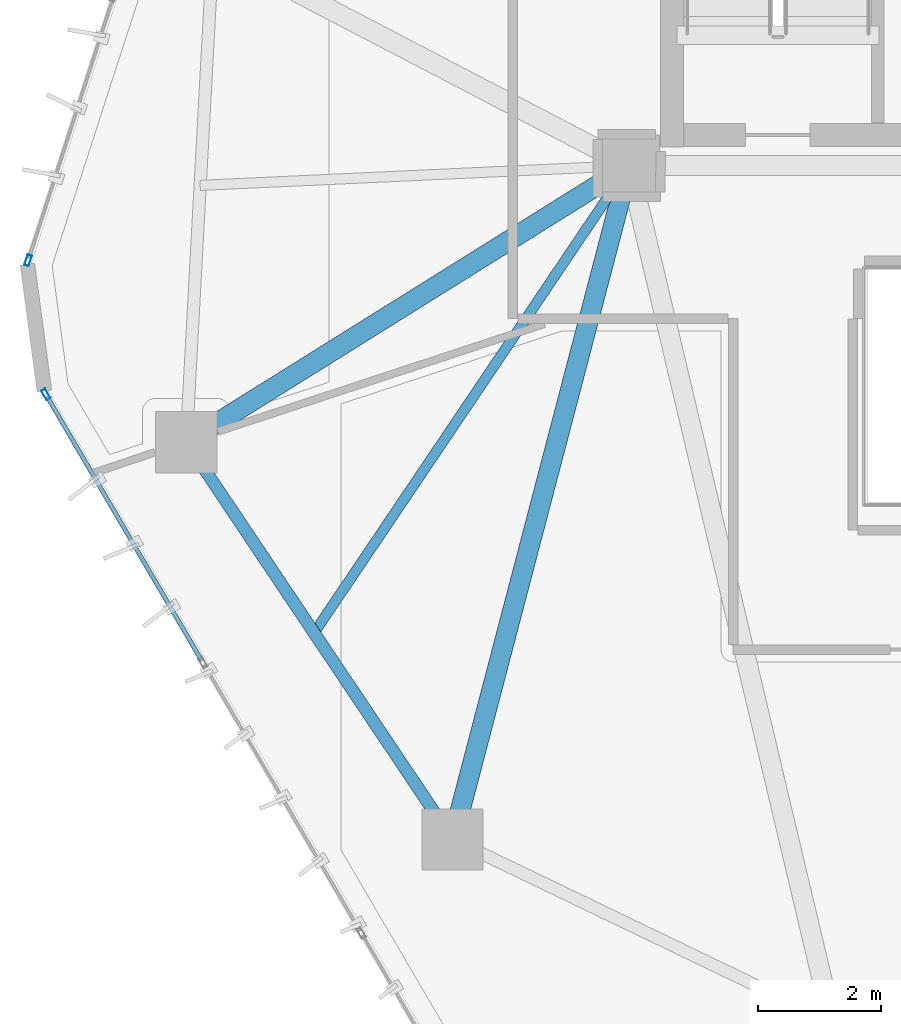
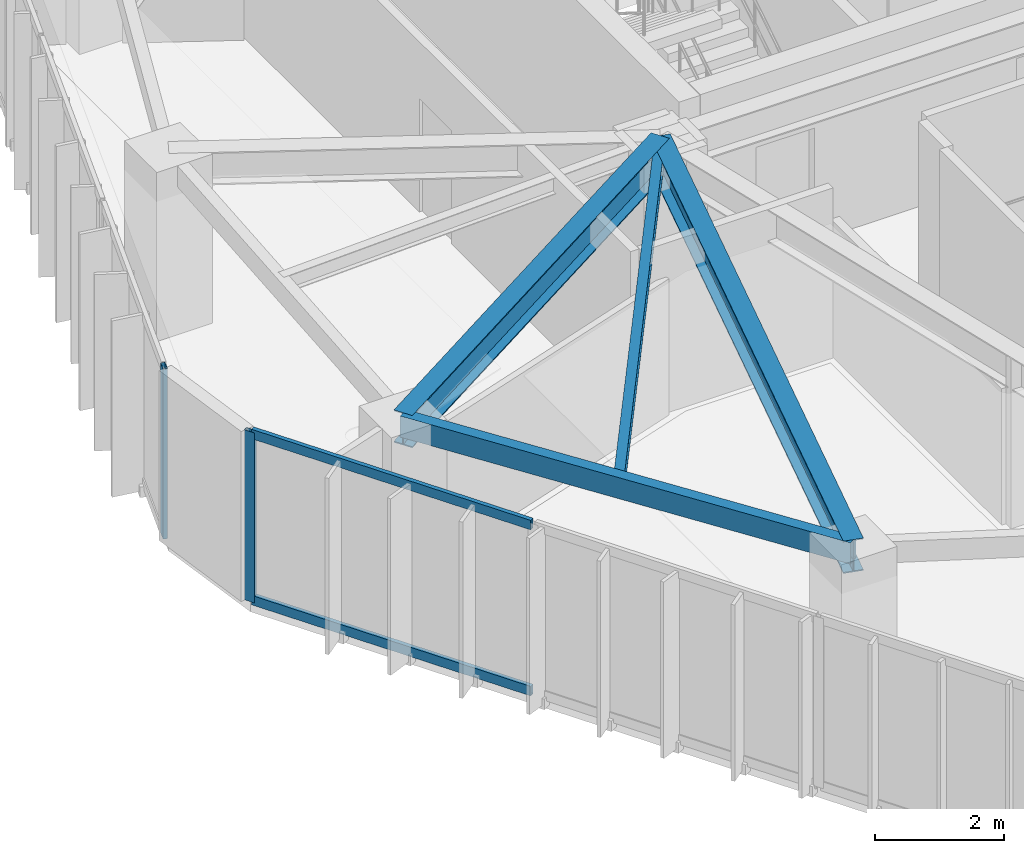
# One storey, part 3 of 19: 4 beams, 4 members, 2 elements without a shape of their own.
"""IFC4 building model written with IfcOpenShell, lengths in metres."""

from ifc_helpers import new_model, si_unit, direction, frame, origin, origin_2d, place, context, subcontext, project, spatial, hollow_rectangle, i_section, extrude, source, transform, mapped, material, layer, layer_set, material_profile, profile_set, type_object, type_shapes, element, aggregate, save


model = new_model("IFC4")

# Units and contexts
model_context = context("Model", 3, precision=1e-05, world=origin(), true_north=direction((0.0, 1.0)))
body_context = subcontext(model_context, "Body", "Model", "MODEL_VIEW")
ifc_project = project(units=[si_unit("LENGTHUNIT", "METRE"), si_unit("AREAUNIT", "SQUARE_METRE"), si_unit("VOLUMEUNIT", "CUBIC_METRE"), si_unit("PLANEANGLEUNIT", "RADIAN"), si_unit("MASSUNIT", "GRAM", prefix="KILO")], contexts=[model_context])

# Site, building, storey
site_placement = place(None, origin())
site = spatial("IfcSite", under=ifc_project, at=site_placement, CompositionType="ELEMENT")
building_placement = place(site_placement, origin())
building = spatial("IfcBuilding", under=site, at=building_placement, Name="Talar Marvaseh", CompositionType="ELEMENT")
storey_placement = place(building_placement, frame((0.0, 0.0, 174.0)))
storey = spatial("IfcBuildingStorey", under=building, at=storey_placement, Name="L45", CompositionType="ELEMENT", Elevation=174.0)

# Beams
ifc_material_1 = material(Name="Steel S355", Category="steel")
ifc_material_profile_1 = material_profile(ifc_material_1, hollow_rectangle(XDim=0.199951171875, YDim=0.39990234375, WallThickness=0.013916015625, at=origin_2d()), Name="RHS400x200x14")
ifc_profile_set_1 = profile_set([ifc_material_profile_1], Name="Steel S355")
beam_type_1 = type_object("IfcBeamType", Name="Zone 3 Perimeter Spandrel Beam RHS400x200x14", PredefinedType="SPANDREL", material=ifc_profile_set_1)
beam_1_placement = place(storey_placement, frame((15.819091796875, 14.5009765625, 3.030029296875), z_axis=(-0.556805579613, 0.830642851358, 0.0), x_axis=(-0.830642851358, -0.556805579613, 0.0)))
element("IfcBeam", 1, at=beam_1_placement, inside=storey, type_object=beam_type_1, Name="L45 Zone 3 Perimeter Spandrel Beam RHS400x200x14", PredefinedType="SPANDREL", context=body_context, shape_type="SweptSolid", body=[
    extrude(hollow_rectangle(XDim=0.199951171875, YDim=0.39990234375, WallThickness=0.013916015625, at=origin_2d()), origin(), (0.0, 0.0, 1.0), 7.807373046875),
])
ifc_material_profile_2 = material_profile(ifc_material_1, i_section(OverallWidth=0.324951171875, OverallDepth=0.615966796875, WebThickness=0.013916015625, FlangeThickness=0.021484375, at=origin_2d()), Name="W610x174")
ifc_profile_set_2 = profile_set([ifc_material_profile_2], Name="Steel S355")
beam_type_2 = type_object("IfcBeamType", Name="Zone 3 Radial Floor Girder W610x174", PredefinedType="BEAM", material=ifc_profile_set_2)
beam_2_placement = place(storey_placement, frame((15.819091796875, 14.5009765625, 2.922119140625), z_axis=(0.253372787776, 0.967368714821, 0.0), x_axis=(-0.967368714821, 0.253372787776, 0.0)))
element("IfcBeam", 2, at=beam_2_placement, inside=storey, type_object=beam_type_2, Name="L45 Zone 3 Radial Floor Girder W610x174", PredefinedType="BEAM", context=body_context, shape_type="SweptSolid", body=[
    extrude(i_section(OverallWidth=0.324951171875, OverallDepth=0.615966796875, WebThickness=0.013916015625, FlangeThickness=0.021484375, at=origin_2d()), origin(), (0.0, 0.0, 1.0), 11.3701171875),
])
beam_3_placement = place(storey_placement, frame((11.471923828125, 20.986083984375, 2.922119140625), z_axis=(0.848188171212, 0.52969503133, 0.0), x_axis=(-0.52969503133, 0.848188171212, 0.0)))
element("IfcBeam", 3, at=beam_3_placement, inside=storey, type_object=beam_type_2, Name="L45 Zone 3 Radial Floor Girder W610x174", PredefinedType="BEAM", context=body_context, shape_type="SweptSolid", body=[
    extrude(i_section(OverallWidth=0.324951171875, OverallDepth=0.615966796875, WebThickness=0.013916015625, FlangeThickness=0.021484375, at=origin_2d()), origin(), (0.0, 0.0, 1.0), 8.521728515625),
])
ifc_material_profile_3 = material_profile(ifc_material_1, i_section(OverallWidth=0.166015625, OverallDepth=0.31298828125, WebThickness=0.006591796875, FlangeThickness=0.01123046875, at=origin_2d()), Name="W310x45")
ifc_profile_set_3 = profile_set([ifc_material_profile_3], Name="Steel S355")
beam_type_3 = type_object("IfcBeamType", Name="Zone 3 Secondary Floor Joist W310x45", PredefinedType="JOIST", material=ifc_profile_set_3)
beam_4_placement = place(storey_placement, frame((13.55859375, 17.873291015625, 3.073486328125), z_axis=(0.558974483718, 0.829184856683, 0.0), x_axis=(-0.829184856683, 0.558974483718, 0.0)))
element("IfcBeam", 4, at=beam_4_placement, inside=storey, type_object=beam_type_3, Name="L45 Zone 3 Secondary Floor Joist W310x45", PredefinedType="JOIST", context=body_context, shape_type="SweptSolid", body=[
    extrude(i_section(OverallWidth=0.166015625, OverallDepth=0.31298828125, WebThickness=0.006591796875, FlangeThickness=0.01123046875, at=origin_2d()), origin(), (0.0, 0.0, 1.0), 9.19775390625),
])

# Curtain wall, member
ifc_material_2 = material(Name="Architectural Aluminium", Category="aluminium")
ifc_layer = layer(ifc_material_2, 0.18994140625)
ifc_layer_set = layer_set([ifc_layer], Name="Architectural Aluminium")
curtain_wall_type = type_object("IfcCurtainWallType", Name="Unitised Solar Atelier Curtain Wall Z3", PredefinedType="NOTDEFINED", material=ifc_layer_set)
curtain_wall_1_placement = place(storey_placement, origin())
curtain_wall_1 = element("IfcCurtainWall", 5, at=curtain_wall_1_placement, inside=storey, type_object=curtain_wall_type, Name="L45 Unitised Solar Atelier Curtain Wall Z3", PredefinedType="NOTDEFINED")
ifc_material_profile_4 = material_profile(ifc_material_2, hollow_rectangle(XDim=0.074951171875, YDim=0.179931640625, WallThickness=0.0048828125, at=origin_2d()), Name="RHS180x75x5")
ifc_profile_set_4 = profile_set([ifc_material_profile_4], Name="Architectural Aluminium")
member_type_1 = type_object("IfcMemberType", Name="Unitised Curtain Wall Standard Mullion RHS180x75x5", PredefinedType="MULLION", material=ifc_profile_set_4)
shared_shape_1 = source(origin(), body_context, "Body", "SweptSolid", [
    extrude(hollow_rectangle(XDim=0.074951171875, YDim=0.179931640625, WallThickness=0.0048828125, at=origin_2d()), origin(), (0.0, 0.0, 1.0), 3.22998046875),
])
type_shapes(member_type_1, [shared_shape_1])
member_1_placement = place(storey_placement, frame((9.180908203125, 21.765380859375, 0.0), z_axis=(0.0, 0.0, 1.0), x_axis=(-0.862986669281, -0.505226690352, 0.0)))
member_1 = element("IfcMember", 6, at=member_1_placement, type_object=member_type_1, Name="CW-Z3 mullion 4", PredefinedType="MULLION", context=body_context, shape_type="MappedRepresentation", body=[
    mapped(shared_shape_1, transform((0.0, 0.0, 0.0), x_axis=(1.0, 0.0, 0.0), y_axis=(0.0, 1.0, 0.0), z_axis=(0.0, 0.0, 1.0), scale=1.0)),
])

curtain_wall_2_placement = place(storey_placement, origin())
curtain_wall_2 = element("IfcCurtainWall", 7, at=curtain_wall_2_placement, inside=storey, type_object=curtain_wall_type, Name="L45 Unitised Solar Atelier Curtain Wall Z3", PredefinedType="NOTDEFINED")
member_2_placement = place(storey_placement, frame((8.89111328125, 23.952392578125, 0.0), z_axis=(0.0, 0.0, 1.0), x_axis=(-0.951423501741, 0.307885238903, 0.0)))
member_2 = element("IfcMember", 8, at=member_2_placement, type_object=member_type_1, Name="CW-Z3 mullion 1", PredefinedType="MULLION", context=body_context, shape_type="MappedRepresentation", body=[
    mapped(shared_shape_1, transform((0.0, 0.0, 0.0), x_axis=(1.0, 0.0, 0.0), y_axis=(0.0, 1.0, 0.0), z_axis=(0.0, 0.0, 1.0), scale=1.0)),
])
aggregate(curtain_wall_2, [member_2])

# Member
ifc_material_profile_5 = material_profile(ifc_material_2, hollow_rectangle(XDim=0.074951171875, YDim=0.179931640625, WallThickness=0.0048828125, at=origin_2d()), Name="RHS180x75x5")
ifc_profile_set_5 = profile_set([ifc_material_profile_5], Name="Architectural Aluminium")
member_type_2 = type_object("IfcMemberType", Name="Unitised Curtain Wall Transom RHS180x75x5", PredefinedType="USERDEFINED", material=ifc_profile_set_5)
shared_shape_2 = source(origin(), body_context, "Body", "SweptSolid", [
    extrude(hollow_rectangle(XDim=0.074951171875, YDim=0.179931640625, WallThickness=0.0048828125, at=origin_2d()), origin(), (0.0, 0.0, 1.0), 5.00048828125),
])
type_shapes(member_type_2, [shared_shape_2])
member_3_placement = place(storey_placement, frame((11.726318359375, 17.417724609375, 0.03759765625), z_axis=(-0.505218224673, 0.86299162537, 0.0), x_axis=(-0.86299162537, -0.505218224673, 0.0)))
member_3 = element("IfcMember", 9, at=member_3_placement, type_object=member_type_2, Name="CW-Z3 transom 3.1", ObjectType="TRANSOM", PredefinedType="USERDEFINED", context=body_context, shape_type="MappedRepresentation", body=[
    mapped(shared_shape_2, transform((0.0, 0.0, 0.0), x_axis=(1.0, 0.0, 0.0), y_axis=(0.0, 1.0, 0.0), z_axis=(0.0, 0.0, 1.0), scale=1.0)),
])

member_4_placement = place(storey_placement, frame((11.726318359375, 17.417724609375, 3.1923828125), z_axis=(-0.505218224673, 0.86299162537, 0.0), x_axis=(-0.86299162537, -0.505218224673, 0.0)))
member_4 = element("IfcMember", 10, at=member_4_placement, type_object=member_type_2, Name="CW-Z3 transom 3.2", ObjectType="TRANSOM", PredefinedType="USERDEFINED", context=body_context, shape_type="MappedRepresentation", body=[
    mapped(shared_shape_2, transform((0.0, 0.0, 0.0), x_axis=(1.0, 0.0, 0.0), y_axis=(0.0, 1.0, 0.0), z_axis=(0.0, 0.0, 1.0), scale=1.0)),
])

aggregate(curtain_wall_1, [member_1, member_3, member_4])

save(model, "model.ifc")
